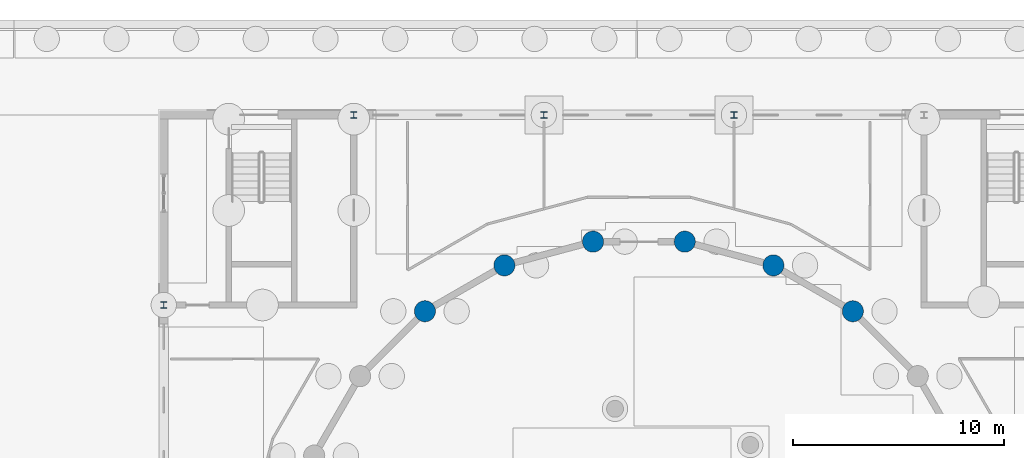
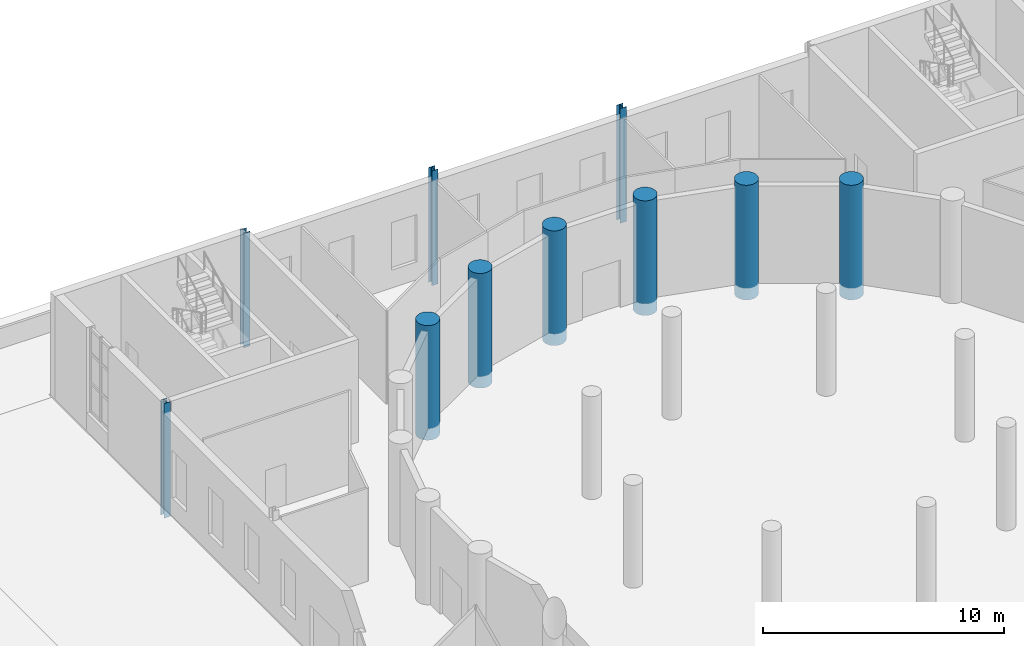
# One storey, part 33 of 168: 10 columns.
"""IFC4 building model written with IfcOpenShell, lengths in metres."""

from ifc_helpers import new_model, si_unit, direction, frame, origin, origin_2d, place, context, subcontext, project, spatial, circle, i_section, extrude, material, material_profile, profile_set, type_object, element, save


model = new_model("IFC4")

# Units and contexts
model_context = context("Model", 3, precision=1e-05, world=origin(), true_north=direction((0.0, 1.0)))
body_context = subcontext(model_context, "Body", "Model", "MODEL_VIEW")
ifc_project = project(units=[si_unit("LENGTHUNIT", "METRE"), si_unit("AREAUNIT", "SQUARE_METRE"), si_unit("VOLUMEUNIT", "CUBIC_METRE"), si_unit("PLANEANGLEUNIT", "RADIAN"), si_unit("MASSUNIT", "GRAM", prefix="KILO")], contexts=[model_context])

# Site, building, storey
site_placement = place(None, origin())
site = spatial("IfcSite", under=ifc_project, at=site_placement, CompositionType="ELEMENT")
building_placement = place(site_placement, origin())
building = spatial("IfcBuilding", under=site, at=building_placement, Name="Golden Quay Civic Hall", CompositionType="ELEMENT")
storey_placement = place(building_placement, origin())
storey = spatial("IfcBuildingStorey", under=building, at=storey_placement, Name="L00", CompositionType="ELEMENT", Elevation=0.0)

# Columns
ifc_material_1 = material(Name="Concrete C50/60", Category="concrete")
ifc_material_profile_1 = material_profile(ifc_material_1, circle(Radius=0.5, at=origin_2d()), Name="RC D1000")
ifc_profile_set_1 = profile_set([ifc_material_profile_1], Name="Concrete C50/60")
column_type_1 = type_object("IfcColumnType", Name="Reinforced concrete column D1000", PredefinedType="COLUMN", material=ifc_profile_set_1)
for number, where, z_axis, x_axis, name in (
    (1, (95.63134765625, 98.703369140625, -0.60009765625), (0.0, 0.0, 1.0), (1.0, 0.0, 0.0), "Rotunda colonnade column 4"),
    (2, (91.86865234375, 100.87548828125, -0.60009765625), (0.0, 0.0, 1.0), (1.0, 0.0, 0.0), "Rotunda colonnade column 5"),
    (3, (87.67236328125, 102.0, -0.60009765625), (0.0, 0.0, 1.0), (1.0, 0.0, 0.0), "Rotunda colonnade column 6"),
    (4, (83.32763671875, 102.0, -0.60009765625), (0.0, 0.0, 1.0), (1.0, 0.0, 0.0), "Rotunda colonnade column 7"),
    (5, (79.13134765625, 100.87548828125, -0.60009765625), (0.0, 0.0, 1.0), (1.0, 0.0, 0.0), "Rotunda colonnade column 8"),
    (6, (75.36865234375, 98.703369140625, -0.60009765625), (0.0, 0.0, 1.0), (1.0, 0.0, 0.0), "Rotunda colonnade column 9"),
):
    element("IfcColumn", number, at=place(storey_placement, frame(where, z_axis=z_axis, x_axis=x_axis)), inside=storey, type_object=column_type_1, Name=name, PredefinedType="COLUMN", context=body_context, shape_type="SweptSolid", body=[
        extrude(circle(Radius=0.5, at=origin_2d()), origin(), (0.0, 0.0, 1.0), 5.800048828125),
    ])
ifc_material_2 = material(Name="Steel S355", Category="steel")
ifc_material_profile_2 = material_profile(ifc_material_2, i_section(OverallWidth=0.300048828125, OverallDepth=0.300048828125, WebThickness=0.010986328125, FlangeThickness=0.01904296875, FilletRadius=0.027099609375, at=origin_2d()), Name="HEB 300")
ifc_profile_set_2 = profile_set([ifc_material_profile_2], Name="Steel S355")
column_type_2 = type_object("IfcColumnType", Name="Steel column HEB 300", PredefinedType="COLUMN", material=ifc_profile_set_2)
for number, where, z_axis, x_axis, name in (
    (7, (81.0, 108.0, -0.60009765625), (0.0, 0.0, 1.0), (1.0, 0.0, 0.0), "Base column 3"),
    (8, (90.0, 108.0, -0.60009765625), (0.0, 0.0, 1.0), (1.0, 0.0, 0.0), "Base column 4"),
    (9, (72.0, 108.0, -0.60009765625), (0.0, 0.0, 1.0), (1.0, 0.0, 0.0), "Base column 11"),
    (10, (63.0, 99.0, -0.60009765625), (0.0, 0.0, 1.0), (1.0, 0.0, 0.0), "Base column 14"),
):
    element("IfcColumn", number, at=place(storey_placement, frame(where, z_axis=z_axis, x_axis=x_axis)), inside=storey, type_object=column_type_2, Name=name, PredefinedType="COLUMN", context=body_context, shape_type="SweptSolid", body=[
        extrude(i_section(OverallWidth=0.300048828125, OverallDepth=0.300048828125, WebThickness=0.010986328125, FlangeThickness=0.01904296875, FilletRadius=0.027099609375, at=origin_2d()), origin(), (0.0, 0.0, 1.0), 5.800048828125),
    ])

save(model, "model.ifc")
